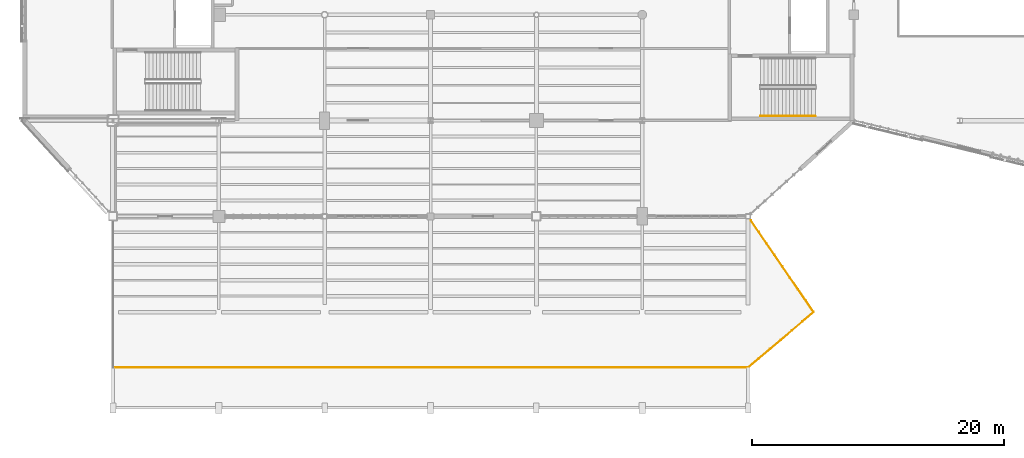
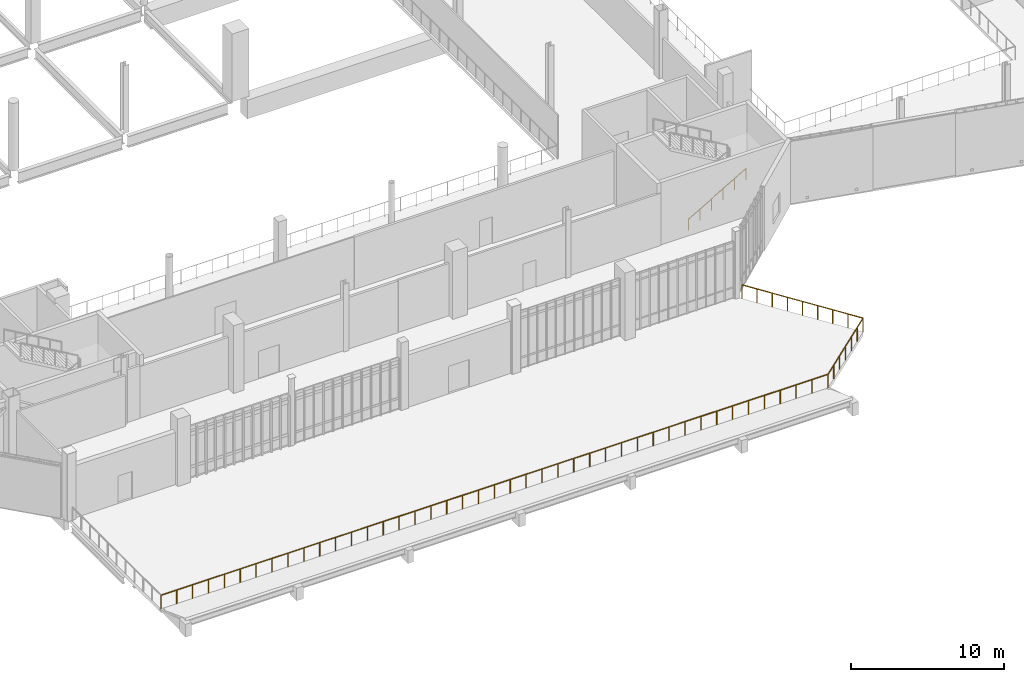
# One storey, part 118 of 127: 2 railings.
"""IFC4 building model written with IfcOpenShell, lengths in metres."""

from ifc_helpers import new_model, si_unit, direction, frame, origin, origin_2d, place, context, subcontext, project, spatial, circle, extrude, material, type_object, element, save


model = new_model("IFC4")

# Units and contexts
model_context = context("Model", 3, precision=1e-05, world=origin(), true_north=direction((0.0, 1.0)))
body_context = subcontext(model_context, "Body", "Model", "MODEL_VIEW")
ifc_project = project(units=[si_unit("LENGTHUNIT", "METRE"), si_unit("AREAUNIT", "SQUARE_METRE"), si_unit("VOLUMEUNIT", "CUBIC_METRE"), si_unit("PLANEANGLEUNIT", "RADIAN"), si_unit("MASSUNIT", "GRAM", prefix="KILO")], contexts=[model_context])

# Site, building, storey
site_placement = place(None, origin())
site = spatial("IfcSite", under=ifc_project, at=site_placement, CompositionType="ELEMENT")
building_placement = place(site_placement, origin())
building = spatial("IfcBuilding", under=site, at=building_placement, Name="Larkvane Passage Sports Hall", CompositionType="ELEMENT")
storey_placement = place(building_placement, frame((0.0, 0.0, 5.39990234375)))
storey = spatial("IfcBuildingStorey", under=building, at=storey_placement, Name="L01", CompositionType="ELEMENT", Elevation=5.39990234375)

# Railings
ifc_material_1 = material(Name="Steel S355JR", Category="steel")
railing_type_1 = type_object("IfcRailingType", Name="RL-GUARD-1120", PredefinedType="GUARDRAIL", material=ifc_material_1)
railing_1_placement = place(storey_placement, frame((34.800048828125, 3.199951171875, 0.0)))
element("IfcRailing", 1, at=railing_1_placement, inside=storey, type_object=railing_type_1, Name="Terrace perimeter guardrail L01-001", PredefinedType="GUARDRAIL", context=body_context, shape_type="SweptSolid", body=[
    extrude(circle(Radius=0.02392578125, at=origin_2d()), frame((0.001953125, 0.0, 1.09619140625), z_axis=(1.0, 0.0, 0.0), x_axis=(0.0, 1.0, 0.0)), (0.0, 0.0, 1.0), 50.39599609375),
    extrude(circle(Radius=0.02392578125, at=origin_2d()), frame((50.4013671875, 0.001220703125, 1.09619140625), z_axis=(0.763372690423, 0.645958307878, 0.0), x_axis=(-0.645958307878, 0.763372690423, 0.0)), (0.0, 0.0, 1.0), 6.807861328125),
    extrude(circle(Radius=0.02392578125, at=origin_2d()), frame((55.5986328125, 4.40185546875, 1.09619140625), z_axis=(-0.564660016266, 0.825323612912, 0.0), x_axis=(-0.825323612912, -0.564660016266, 0.0)), (0.0, 0.0, 1.0), 8.78515625),
    extrude(circle(Radius=0.02099609375, at=origin_2d()), origin(), (0.0, 0.0, 1.0), 1.072021484375),
    extrude(circle(Radius=0.02099609375, at=origin_2d()), frame((1.199951171875, 0.0, 0.0)), (0.0, 0.0, 1.0), 1.072021484375),
    extrude(circle(Radius=0.02099609375, at=origin_2d()), frame((2.39990234375, 0.0, 0.0)), (0.0, 0.0, 1.0), 1.072021484375),
    extrude(circle(Radius=0.02099609375, at=origin_2d()), frame((3.60009765625, 0.0, 0.0)), (0.0, 0.0, 1.0), 1.072021484375),
    extrude(circle(Radius=0.02099609375, at=origin_2d()), frame((4.800048828125, 0.0, 0.0)), (0.0, 0.0, 1.0), 1.072021484375),
    extrude(circle(Radius=0.02099609375, at=origin_2d()), frame((6.0, 0.0, 0.0)), (0.0, 0.0, 1.0), 1.072021484375),
    extrude(circle(Radius=0.02099609375, at=origin_2d()), frame((7.199951171875, 0.0, 0.0)), (0.0, 0.0, 1.0), 1.072021484375),
    extrude(circle(Radius=0.02099609375, at=origin_2d()), frame((8.39990234375, 0.0, 0.0)), (0.0, 0.0, 1.0), 1.072021484375),
    extrude(circle(Radius=0.02099609375, at=origin_2d()), frame((9.60009765625, 0.0, 0.0)), (0.0, 0.0, 1.0), 1.072021484375),
    extrude(circle(Radius=0.02099609375, at=origin_2d()), frame((10.800048828125, 0.0, 0.0)), (0.0, 0.0, 1.0), 1.072021484375),
    extrude(circle(Radius=0.02099609375, at=origin_2d()), frame((12.0, 0.0, 0.0)), (0.0, 0.0, 1.0), 1.072021484375),
    extrude(circle(Radius=0.02099609375, at=origin_2d()), frame((13.199951171875, 0.0, 0.0)), (0.0, 0.0, 1.0), 1.072021484375),
    extrude(circle(Radius=0.02099609375, at=origin_2d()), frame((14.39990234375, 0.0, 0.0)), (0.0, 0.0, 1.0), 1.072021484375),
    extrude(circle(Radius=0.02099609375, at=origin_2d()), frame((15.599853515625, 0.0, 0.0)), (0.0, 0.0, 1.0), 1.072021484375),
    extrude(circle(Radius=0.02099609375, at=origin_2d()), frame((16.800048828125, 0.0, 0.0)), (0.0, 0.0, 1.0), 1.072021484375),
    extrude(circle(Radius=0.02099609375, at=origin_2d()), frame((18.0, 0.0, 0.0)), (0.0, 0.0, 1.0), 1.072021484375),
    extrude(circle(Radius=0.02099609375, at=origin_2d()), frame((19.199951171875, 0.0, 0.0)), (0.0, 0.0, 1.0), 1.072021484375),
    extrude(circle(Radius=0.02099609375, at=origin_2d()), frame((20.39990234375, 0.0, 0.0)), (0.0, 0.0, 1.0), 1.072021484375),
    extrude(circle(Radius=0.02099609375, at=origin_2d()), frame((21.599853515625, 0.0, 0.0)), (0.0, 0.0, 1.0), 1.072021484375),
    extrude(circle(Radius=0.02099609375, at=origin_2d()), frame((22.800048828125, 0.0, 0.0)), (0.0, 0.0, 1.0), 1.072021484375),
    extrude(circle(Radius=0.02099609375, at=origin_2d()), frame((24.0, 0.0, 0.0)), (0.0, 0.0, 1.0), 1.072021484375),
    extrude(circle(Radius=0.02099609375, at=origin_2d()), frame((25.199951171875, 0.0, 0.0)), (0.0, 0.0, 1.0), 1.072021484375),
    extrude(circle(Radius=0.02099609375, at=origin_2d()), frame((26.39990234375, 0.0, 0.0)), (0.0, 0.0, 1.0), 1.072021484375),
    extrude(circle(Radius=0.02099609375, at=origin_2d()), frame((27.599853515625, 0.0, 0.0)), (0.0, 0.0, 1.0), 1.072021484375),
    extrude(circle(Radius=0.02099609375, at=origin_2d()), frame((28.800048828125, 0.0, 0.0)), (0.0, 0.0, 1.0), 1.072021484375),
    extrude(circle(Radius=0.02099609375, at=origin_2d()), frame((30.0, 0.0, 0.0)), (0.0, 0.0, 1.0), 1.072021484375),
    extrude(circle(Radius=0.02099609375, at=origin_2d()), frame((31.199951171875, 0.0, 0.0)), (0.0, 0.0, 1.0), 1.072021484375),
    extrude(circle(Radius=0.02099609375, at=origin_2d()), frame((32.39990234375, 0.0, 0.0)), (0.0, 0.0, 1.0), 1.072021484375),
    extrude(circle(Radius=0.02099609375, at=origin_2d()), frame((33.599853515625, 0.0, 0.0)), (0.0, 0.0, 1.0), 1.072021484375),
    extrude(circle(Radius=0.02099609375, at=origin_2d()), frame((34.800048828125, 0.0, 0.0)), (0.0, 0.0, 1.0), 1.072021484375),
    extrude(circle(Radius=0.02099609375, at=origin_2d()), frame((36.0, 0.0, 0.0)), (0.0, 0.0, 1.0), 1.072021484375),
    extrude(circle(Radius=0.02099609375, at=origin_2d()), frame((37.199951171875, 0.0, 0.0)), (0.0, 0.0, 1.0), 1.072021484375),
    extrude(circle(Radius=0.02099609375, at=origin_2d()), frame((38.39990234375, 0.0, 0.0)), (0.0, 0.0, 1.0), 1.072021484375),
    extrude(circle(Radius=0.02099609375, at=origin_2d()), frame((39.599853515625, 0.0, 0.0)), (0.0, 0.0, 1.0), 1.072021484375),
    extrude(circle(Radius=0.02099609375, at=origin_2d()), frame((40.7998046875, 0.0, 0.0)), (0.0, 0.0, 1.0), 1.072021484375),
    extrude(circle(Radius=0.02099609375, at=origin_2d()), frame((42.0, 0.0, 0.0)), (0.0, 0.0, 1.0), 1.072021484375),
    extrude(circle(Radius=0.02099609375, at=origin_2d()), frame((43.199951171875, 0.0, 0.0)), (0.0, 0.0, 1.0), 1.072021484375),
    extrude(circle(Radius=0.02099609375, at=origin_2d()), frame((44.39990234375, 0.0, 0.0)), (0.0, 0.0, 1.0), 1.072021484375),
    extrude(circle(Radius=0.02099609375, at=origin_2d()), frame((45.599853515625, 0.0, 0.0)), (0.0, 0.0, 1.0), 1.072021484375),
    extrude(circle(Radius=0.02099609375, at=origin_2d()), frame((46.7998046875, 0.0, 0.0)), (0.0, 0.0, 1.0), 1.072021484375),
    extrude(circle(Radius=0.02099609375, at=origin_2d()), frame((48.0, 0.0, 0.0)), (0.0, 0.0, 1.0), 1.072021484375),
    extrude(circle(Radius=0.02099609375, at=origin_2d()), frame((49.199951171875, 0.0, 0.0)), (0.0, 0.0, 1.0), 1.072021484375),
    extrude(circle(Radius=0.02099609375, at=origin_2d()), frame((50.39990234375, 0.0, 0.0)), (0.0, 0.0, 1.0), 1.072021484375),
    extrude(circle(Radius=0.02099609375, at=origin_2d()), frame((51.2666015625, 0.7333984375, 0.0)), (0.0, 0.0, 1.0), 1.072021484375),
    extrude(circle(Radius=0.02099609375, at=origin_2d()), frame((52.13330078125, 1.466796875, 0.0)), (0.0, 0.0, 1.0), 1.072021484375),
    extrude(circle(Radius=0.02099609375, at=origin_2d()), frame((53.0, 2.2001953125, 0.0)), (0.0, 0.0, 1.0), 1.072021484375),
    extrude(circle(Radius=0.02099609375, at=origin_2d()), frame((53.866455078125, 2.933349609375, 0.0)), (0.0, 0.0, 1.0), 1.072021484375),
    extrude(circle(Radius=0.02099609375, at=origin_2d()), frame((54.733154296875, 3.666748046875, 0.0)), (0.0, 0.0, 1.0), 1.072021484375),
    extrude(circle(Radius=0.02099609375, at=origin_2d()), frame((55.599853515625, 4.400146484375, 0.0)), (0.0, 0.0, 1.0), 1.072021484375),
    extrude(circle(Radius=0.02099609375, at=origin_2d()), frame((54.9794921875, 5.306884765625, 0.0)), (0.0, 0.0, 1.0), 1.072021484375),
    extrude(circle(Radius=0.02099609375, at=origin_2d()), frame((54.359130859375, 6.213623046875, 0.0)), (0.0, 0.0, 1.0), 1.072021484375),
    extrude(circle(Radius=0.02099609375, at=origin_2d()), frame((53.73876953125, 7.120361328125, 0.0)), (0.0, 0.0, 1.0), 1.072021484375),
    extrude(circle(Radius=0.02099609375, at=origin_2d()), frame((53.118408203125, 8.027099609375, 0.0)), (0.0, 0.0, 1.0), 1.072021484375),
    extrude(circle(Radius=0.02099609375, at=origin_2d()), frame((52.498046875, 8.933837890625, 0.0)), (0.0, 0.0, 1.0), 1.072021484375),
    extrude(circle(Radius=0.02099609375, at=origin_2d()), frame((51.877685546875, 9.840576171875, 0.0)), (0.0, 0.0, 1.0), 1.072021484375),
    extrude(circle(Radius=0.02099609375, at=origin_2d()), frame((51.25732421875, 10.747314453125, 0.0)), (0.0, 0.0, 1.0), 1.072021484375),
    extrude(circle(Radius=0.02099609375, at=origin_2d()), frame((50.636962890625, 11.654052734375, 0.0)), (0.0, 0.0, 1.0), 1.072021484375),
])
ifc_material_2 = material(Name="Stainless steel S355JR", Category="steel")
railing_type_2 = type_object("IfcRailingType", Name="RL-HAND-920", PredefinedType="HANDRAIL", material=ifc_material_2)
railing_2_placement = place(storey_placement, frame((86.179931640625, 23.14990234375, 0.1689453125)))
element("IfcRailing", 2, at=railing_2_placement, inside=storey, type_object=railing_type_2, Name="L01 ST-04 stair handrail 1", PredefinedType="HANDRAIL", context=body_context, shape_type="SweptSolid", body=[
    extrude(circle(Radius=0.02392578125, at=origin_2d()), frame((0.001708984375, 0.0, 0.876953125), z_axis=(0.864323800911, 0.0, 0.50293574856), x_axis=(0.0, 1.0, 0.0)), (0.0, 0.0, 1.0), 5.029052734375),
    extrude(circle(Radius=0.02099609375, at=origin_2d()), origin(), (0.0, 0.0, 1.0), 0.851806640625),
    extrude(circle(Radius=0.02099609375, at=origin_2d()), frame((0.8701171875, 0.0, 0.50634765625)), (0.0, 0.0, 1.0), 0.851806640625),
    extrude(circle(Radius=0.02099609375, at=origin_2d()), frame((1.739990234375, 0.0, 1.012451171875)), (0.0, 0.0, 1.0), 0.851806640625),
    extrude(circle(Radius=0.02099609375, at=origin_2d()), frame((2.610107421875, 0.0, 1.518798828125)), (0.0, 0.0, 1.0), 0.851806640625),
    extrude(circle(Radius=0.02099609375, at=origin_2d()), frame((3.47998046875, 0.0, 2.02490234375)), (0.0, 0.0, 1.0), 0.851806640625),
    extrude(circle(Radius=0.02099609375, at=origin_2d()), frame((4.35009765625, 0.0, 2.53125)), (0.0, 0.0, 1.0), 0.851806640625),
])

save(model, "model.ifc")
